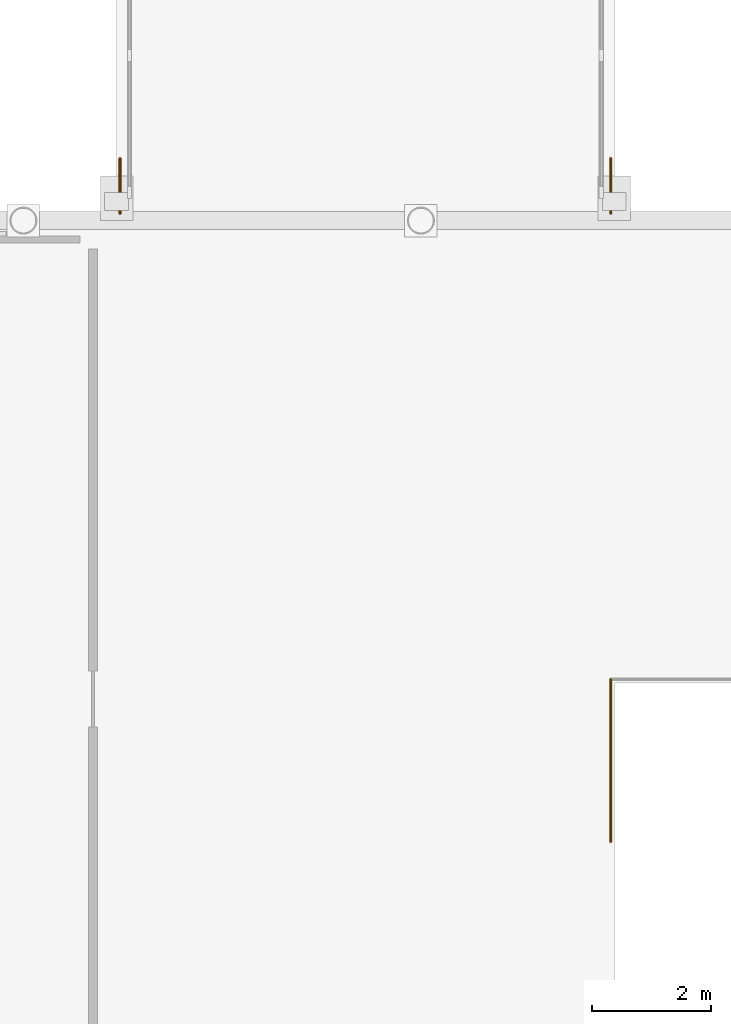
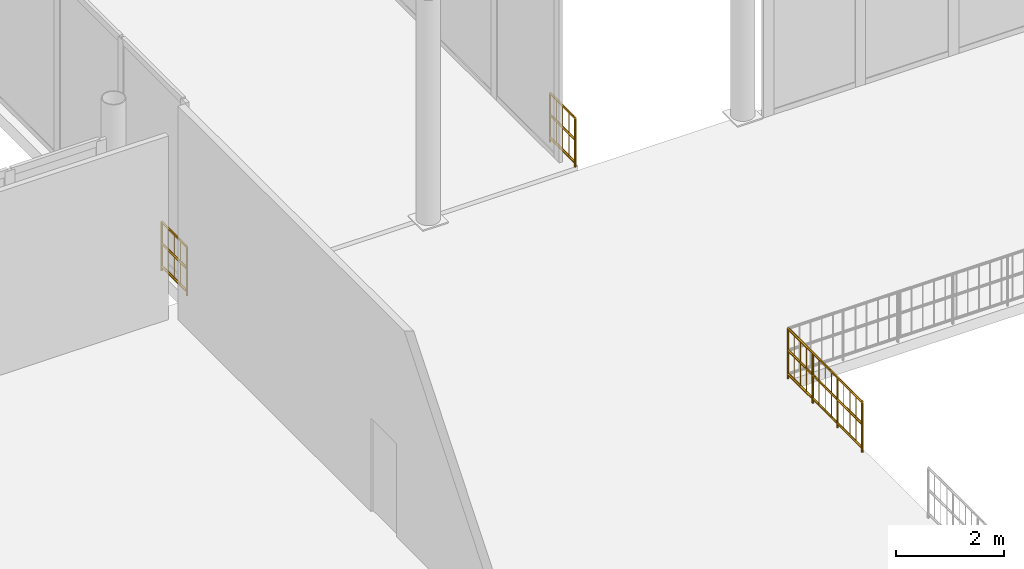
# One storey, part 96 of 105: 3 railings.
"""IFC4 building model written with IfcOpenShell, lengths in metres."""

from ifc_helpers import new_model, si_unit, direction, frame, origin, origin_2d, place, context, subcontext, project, spatial, circle, extrude, material, layer, layer_set, type_object, element, save


model = new_model("IFC4")

# Units and contexts
model_context = context("Model", 3, precision=1e-05, world=origin(), true_north=direction((0.0, 1.0)))
body_context = subcontext(model_context, "Body", "Model", "MODEL_VIEW")
ifc_project = project(units=[si_unit("LENGTHUNIT", "METRE"), si_unit("AREAUNIT", "SQUARE_METRE"), si_unit("VOLUMEUNIT", "CUBIC_METRE"), si_unit("PLANEANGLEUNIT", "RADIAN"), si_unit("MASSUNIT", "GRAM", prefix="KILO")], contexts=[model_context])

# Site, building, storey
site_placement = place(None, origin())
site = spatial("IfcSite", under=ifc_project, at=site_placement, CompositionType="ELEMENT")
building_placement = place(site_placement, origin())
building = spatial("IfcBuilding", under=site, at=building_placement, Name="Nabrawat Pavilion Hospital", CompositionType="ELEMENT")
storey_placement = place(building_placement, frame((0.0, 0.0, 5.10009765625)))
storey = spatial("IfcBuildingStorey", under=building, at=storey_placement, Name="L01", CompositionType="ELEMENT", Elevation=5.10009765625)

# Railings
ifc_material_1 = material(Name="Stainless Steel 316", Category="steel")
ifc_layer_1 = layer(ifc_material_1, 0.070068359375, Name="Stainless Steel 316")
ifc_layer_set_1 = layer_set([ifc_layer_1], Name="Stainless Steel 316")
railing_type_1 = type_object("IfcRailingType", Name="Exterior Clinical Terrace Safety Guardrail 1100", PredefinedType="GUARDRAIL", material=ifc_layer_set_1)
for number, where, name in (
    (1, (67.260009765625, 39.1201171875, 0.0), "L01 Courtyard Seismic Joint Corner Guardrail 02"),
    (2, (75.5400390625, 39.1201171875, 0.0), "L01 Courtyard Seismic Joint Corner Guardrail 03"),
):
    element("IfcRailing", number, at=place(storey_placement, frame(where)), inside=storey, type_object=railing_type_1, Name=name, PredefinedType="GUARDRAIL", context=body_context, shape_type="SweptSolid", body=[
        extrude(circle(Radius=0.02392578125, at=origin_2d()), frame((0.0, 0.0, 1.09619140625), z_axis=(0.0, 1.0, 0.0), x_axis=(-1.0, 0.0, 0.0)), (0.0, 0.0, 1.0), 0.929931640625),
        extrude(circle(Radius=0.02392578125, at=origin_2d()), frame((0.0, 0.0, 0.10009765625), z_axis=(0.0, 1.0, 0.0), x_axis=(-1.0, 0.0, 0.0)), (0.0, 0.0, 1.0), 0.929931640625),
        extrude(circle(Radius=0.02392578125, at=origin_2d()), frame((0.0, 0.0, 0.615966796875), z_axis=(0.0, 1.0, 0.0), x_axis=(-1.0, 0.0, 0.0)), (0.0, 0.0, 1.0), 0.929931640625),
        extrude(circle(Radius=0.008056640625, at=origin_2d()), frame((0.0, 0.232421875, 0.10009765625)), (0.0, 0.0, 1.0), 0.971923828125),
        extrude(circle(Radius=0.008056640625, at=origin_2d()), frame((0.0, 0.46484375, 0.10009765625)), (0.0, 0.0, 1.0), 0.971923828125),
        extrude(circle(Radius=0.008056640625, at=origin_2d()), frame((0.0, 0.697509765625, 0.10009765625)), (0.0, 0.0, 1.0), 0.971923828125),
        extrude(circle(Radius=0.02099609375, at=origin_2d()), origin(), (0.0, 0.0, 1.0), 1.072021484375),
        extrude(circle(Radius=0.02099609375, at=origin_2d()), frame((0.0, 0.929931640625, 0.0)), (0.0, 0.0, 1.0), 1.072021484375),
    ])
ifc_material_2 = material(Name="Laminated Toughened Glass and Stainless Steel", Category="steel")
ifc_layer_2 = layer(ifc_material_2, 0.080078125, Name="Laminated Toughened Glass and Stainless Steel")
ifc_layer_set_2 = layer_set([ifc_layer_2], Name="Laminated Toughened Glass and Stainless Steel")
railing_type_2 = type_object("IfcRailingType", Name="Main Hall Atrium Void Glass Balustrade 1150", PredefinedType="BALUSTRADE", material=ifc_layer_set_2)
railing_placement = place(storey_placement, frame((75.5400390625, 28.52001953125, 0.0)))
element("IfcRailing", 3, at=railing_placement, inside=storey, type_object=railing_type_2, Name="L01 Main Hall Atrium Gallery Balustrade West-N", PredefinedType="BALUSTRADE", context=body_context, shape_type="SweptSolid", body=[
    extrude(circle(Radius=0.02392578125, at=origin_2d()), frame((0.0, 0.0, 1.1259765625), z_axis=(0.0, 1.0, 0.0), x_axis=(-1.0, 0.0, 0.0)), (0.0, 0.0, 1.0), 2.739990234375),
    extrude(circle(Radius=0.02392578125, at=origin_2d()), frame((0.0, 0.0, 0.10009765625), z_axis=(0.0, 1.0, 0.0), x_axis=(-1.0, 0.0, 0.0)), (0.0, 0.0, 1.0), 2.739990234375),
    extrude(circle(Radius=0.02392578125, at=origin_2d()), frame((0.0, 0.0, 0.63232421875), z_axis=(0.0, 1.0, 0.0), x_axis=(-1.0, 0.0, 0.0)), (0.0, 0.0, 1.0), 2.739990234375),
    extrude(circle(Radius=0.008056640625, at=origin_2d()), frame((0.0, 0.228271484375, 0.10009765625)), (0.0, 0.0, 1.0), 1.001708984375),
    extrude(circle(Radius=0.008056640625, at=origin_2d()), frame((0.0, 0.45654296875, 0.10009765625)), (0.0, 0.0, 1.0), 1.001708984375),
    extrude(circle(Radius=0.008056640625, at=origin_2d()), frame((0.0, 0.68505859375, 0.10009765625)), (0.0, 0.0, 1.0), 1.001708984375),
    extrude(circle(Radius=0.008056640625, at=origin_2d()), frame((0.0, 1.1416015625, 0.10009765625)), (0.0, 0.0, 1.0), 1.001708984375),
    extrude(circle(Radius=0.008056640625, at=origin_2d()), frame((0.0, 1.3701171875, 0.10009765625)), (0.0, 0.0, 1.0), 1.001708984375),
    extrude(circle(Radius=0.008056640625, at=origin_2d()), frame((0.0, 1.598388671875, 0.10009765625)), (0.0, 0.0, 1.0), 1.001708984375),
    extrude(circle(Radius=0.008056640625, at=origin_2d()), frame((0.0, 2.054931640625, 0.10009765625)), (0.0, 0.0, 1.0), 1.001708984375),
    extrude(circle(Radius=0.008056640625, at=origin_2d()), frame((0.0, 2.283203125, 0.10009765625)), (0.0, 0.0, 1.0), 1.001708984375),
    extrude(circle(Radius=0.008056640625, at=origin_2d()), frame((0.0, 2.51171875, 0.10009765625)), (0.0, 0.0, 1.0), 1.001708984375),
    extrude(circle(Radius=0.02099609375, at=origin_2d()), origin(), (0.0, 0.0, 1.0), 1.101806640625),
    extrude(circle(Radius=0.02099609375, at=origin_2d()), frame((0.0, 0.913330078125, 0.0)), (0.0, 0.0, 1.0), 1.101806640625),
    extrude(circle(Radius=0.02099609375, at=origin_2d()), frame((0.0, 1.82666015625, 0.0)), (0.0, 0.0, 1.0), 1.101806640625),
    extrude(circle(Radius=0.02099609375, at=origin_2d()), frame((0.0, 2.739990234375, 0.0)), (0.0, 0.0, 1.0), 1.101806640625),
])

save(model, "model.ifc")
